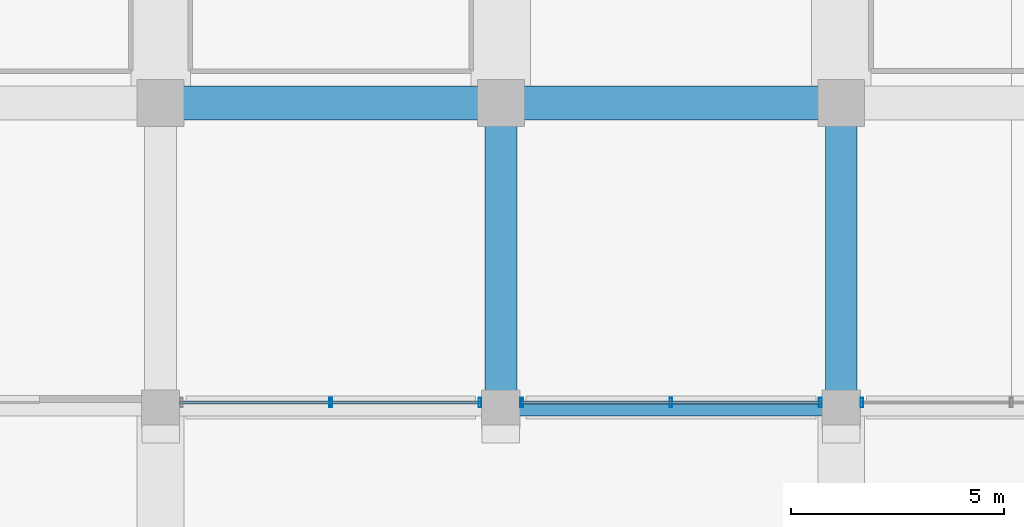
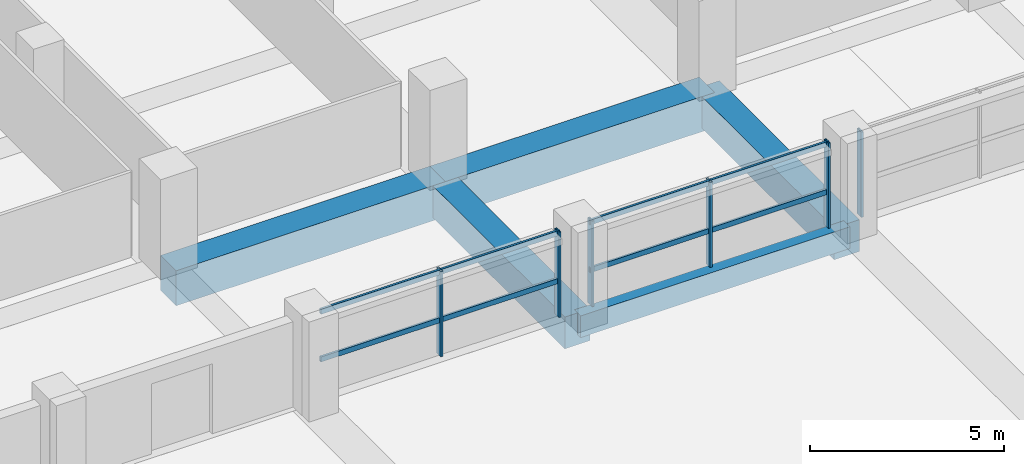
# One storey, part 13 of 49: 10 members, 5 beams, 3 elements without a shape of their own.
"""IFC4 building model written with IfcOpenShell, lengths in metres."""

from ifc_helpers import new_model, si_unit, direction, frame, origin, origin_2d, place, context, subcontext, project, spatial, rectangle, hollow_rectangle, extrude, material, material_profile, profile_set, type_object, element, aggregate, save


model = new_model("IFC4")

# Units and contexts
model_context = context("Model", 3, precision=1e-05, world=origin(), true_north=direction((0.0, 1.0)))
body_context = subcontext(model_context, "Body", "Model", "MODEL_VIEW")
ifc_project = project(units=[si_unit("LENGTHUNIT", "METRE"), si_unit("AREAUNIT", "SQUARE_METRE"), si_unit("VOLUMEUNIT", "CUBIC_METRE"), si_unit("PLANEANGLEUNIT", "RADIAN"), si_unit("MASSUNIT", "GRAM", prefix="KILO")], contexts=[model_context])

# Site, building, storey
site_placement = place(None, origin())
site = spatial("IfcSite", under=ifc_project, at=site_placement, CompositionType="ELEMENT")
building_placement = place(site_placement, origin())
building = spatial("IfcBuilding", under=site, at=building_placement, Name="Akrevak Sports Hall", CompositionType="ELEMENT")
storey_placement = place(building_placement, frame((0.0, 0.0, 24.14990234375)))
storey = spatial("IfcBuildingStorey", under=building, at=storey_placement, Name="L04", CompositionType="ELEMENT", Elevation=24.14990234375)

# Curtain wall, members
ifc_material_1 = material(Name="Anodized Bronze Aluminium & Low-E Glass", Category="aluminium")
curtain_wall_type = type_object("IfcCurtainWallType", Name="ARC-CW-TWR-72x30", PredefinedType="NOTDEFINED", material=ifc_material_1)
curtain_wall_1_placement = place(storey_placement, origin())
curtain_wall_1 = element("IfcCurtainWall", 1, at=curtain_wall_1_placement, inside=storey, type_object=curtain_wall_type, Name="Curtain Wall CW-L04-S04", PredefinedType="NOTDEFINED")
ifc_material_2 = material(Name="Anodized Bronze Aluminium", Category="aluminium")
ifc_material_profile_1 = material_profile(ifc_material_2, hollow_rectangle(XDim=0.06494140625, YDim=0.219970703125, WallThickness=0.00439453125, at=origin_2d()), Name="CWM 65x220", Category="aluminium")
ifc_profile_set_1 = profile_set([ifc_material_profile_1], Name="Anodized Bronze Aluminium")
member_type_1 = type_object("IfcMemberType", Name="ARC-CWM-70x160", PredefinedType="MULLION", material=ifc_profile_set_1)
member_1_placement = place(storey_placement, frame((64.0, 21.760009765625, 0.0), z_axis=(0.0, 0.0, 1.0), x_axis=(1.0, 0.0, 0.0)))
member_1 = element("IfcMember", 2, at=member_1_placement, type_object=member_type_1, Name="Curtain Wall Mullion CW-L04-S04-M2", PredefinedType="MULLION", context=body_context, shape_type="SweptSolid", body=[
    extrude(hollow_rectangle(XDim=0.06494140625, YDim=0.219970703125, WallThickness=0.00439453125, at=origin_2d()), origin(), (0.0, 0.0, 1.0), 2.68017578125),
])
member_2_placement = place(storey_placement, frame((67.510009765625, 21.760009765625, 0.0), z_axis=(0.0, 0.0, 1.0), x_axis=(1.0, 0.0, 0.0)))
member_2 = element("IfcMember", 3, at=member_2_placement, type_object=member_type_1, Name="Curtain Wall Mullion CW-L04-S04-M3", PredefinedType="MULLION", context=body_context, shape_type="SweptSolid", body=[
    extrude(hollow_rectangle(XDim=0.06494140625, YDim=0.219970703125, WallThickness=0.00439453125, at=origin_2d()), origin(), (0.0, 0.0, 1.0), 2.68017578125),
])

curtain_wall_2_placement = place(storey_placement, origin())
curtain_wall_2 = element("IfcCurtainWall", 4, at=curtain_wall_2_placement, inside=storey, type_object=curtain_wall_type, Name="Curtain Wall CW-L04-S05", PredefinedType="NOTDEFINED")
member_3_placement = place(storey_placement, frame((68.489990234375, 21.760009765625, 0.0), z_axis=(0.0, 0.0, 1.0), x_axis=(1.0, 0.0, 0.0)))
member_3 = element("IfcMember", 5, at=member_3_placement, type_object=member_type_1, Name="Curtain Wall Mullion CW-L04-S05-M1", PredefinedType="MULLION", context=body_context, shape_type="SweptSolid", body=[
    extrude(hollow_rectangle(XDim=0.06494140625, YDim=0.219970703125, WallThickness=0.00439453125, at=origin_2d()), origin(), (0.0, 0.0, 1.0), 2.68017578125),
])
member_4_placement = place(storey_placement, frame((72.0, 21.760009765625, 0.0), z_axis=(0.0, 0.0, 1.0), x_axis=(1.0, 0.0, 0.0)))
member_4 = element("IfcMember", 6, at=member_4_placement, type_object=member_type_1, Name="Curtain Wall Mullion CW-L04-S05-M2", PredefinedType="MULLION", context=body_context, shape_type="SweptSolid", body=[
    extrude(hollow_rectangle(XDim=0.06494140625, YDim=0.219970703125, WallThickness=0.00439453125, at=origin_2d()), origin(), (0.0, 0.0, 1.0), 2.68017578125),
])
member_5_placement = place(storey_placement, frame((75.510009765625, 21.760009765625, 0.0), z_axis=(0.0, 0.0, 1.0), x_axis=(1.0, 0.0, 0.0)))
member_5 = element("IfcMember", 7, at=member_5_placement, type_object=member_type_1, Name="Curtain Wall Mullion CW-L04-S05-M3", PredefinedType="MULLION", context=body_context, shape_type="SweptSolid", body=[
    extrude(hollow_rectangle(XDim=0.06494140625, YDim=0.219970703125, WallThickness=0.00439453125, at=origin_2d()), origin(), (0.0, 0.0, 1.0), 2.68017578125),
])

# Curtain wall, member
curtain_wall_3_placement = place(storey_placement, origin())
curtain_wall_3 = element("IfcCurtainWall", 8, at=curtain_wall_3_placement, inside=storey, type_object=curtain_wall_type, Name="Curtain Wall CW-L04-S06", PredefinedType="NOTDEFINED")
member_6_placement = place(storey_placement, frame((76.489990234375, 21.760009765625, 0.0), z_axis=(0.0, 0.0, 1.0), x_axis=(1.0, 0.0, 0.0)))
member_6 = element("IfcMember", 9, at=member_6_placement, type_object=member_type_1, Name="Curtain Wall Mullion CW-L04-S06-M1", PredefinedType="MULLION", context=body_context, shape_type="SweptSolid", body=[
    extrude(hollow_rectangle(XDim=0.06494140625, YDim=0.219970703125, WallThickness=0.00439453125, at=origin_2d()), origin(), (0.0, 0.0, 1.0), 2.68017578125),
])
aggregate(curtain_wall_3, [member_6])

# Member
ifc_material_profile_2 = material_profile(ifc_material_2, hollow_rectangle(XDim=0.06494140625, YDim=0.159912109375, WallThickness=0.00390625, at=origin_2d()), Name="CWT 65x160", Category="aluminium")
ifc_profile_set_2 = profile_set([ifc_material_profile_2], Name="Anodized Bronze Aluminium")
member_type_2 = type_object("IfcMemberType", Name="ARC-CWT-70x130", PredefinedType="USERDEFINED", material=ifc_profile_set_2)
member_7_placement = place(storey_placement, frame((60.449951171875, 21.760009765625, 1.10009765625), z_axis=(1.0, 0.0, 0.0), x_axis=(0.0, 1.0, 0.0)))
member_7 = element("IfcMember", 10, at=member_7_placement, type_object=member_type_2, Name="Curtain Wall Transom CW-L04-S04-T1", ObjectType="TRANSOM", PredefinedType="USERDEFINED", context=body_context, shape_type="SweptSolid", body=[
    extrude(hollow_rectangle(XDim=0.06494140625, YDim=0.159912109375, WallThickness=0.00390625, at=origin_2d()), origin(), (0.0, 0.0, 1.0), 7.10009765625),
])

member_8_placement = place(storey_placement, frame((60.449951171875, 21.760009765625, 2.60009765625), z_axis=(1.0, 0.0, 0.0), x_axis=(0.0, 1.0, 0.0)))
member_8 = element("IfcMember", 11, at=member_8_placement, type_object=member_type_2, Name="Curtain Wall Transom CW-L04-S04-T2", ObjectType="TRANSOM", PredefinedType="USERDEFINED", context=body_context, shape_type="SweptSolid", body=[
    extrude(hollow_rectangle(XDim=0.06494140625, YDim=0.159912109375, WallThickness=0.00390625, at=origin_2d()), origin(), (0.0, 0.0, 1.0), 7.10009765625),
])

aggregate(curtain_wall_1, [member_1, member_2, member_7, member_8])

member_9_placement = place(storey_placement, frame((68.449951171875, 21.760009765625, 1.10009765625), z_axis=(1.0, 0.0, 0.0), x_axis=(0.0, 1.0, 0.0)))
member_9 = element("IfcMember", 12, at=member_9_placement, type_object=member_type_2, Name="Curtain Wall Transom CW-L04-S05-T1", ObjectType="TRANSOM", PredefinedType="USERDEFINED", context=body_context, shape_type="SweptSolid", body=[
    extrude(hollow_rectangle(XDim=0.06494140625, YDim=0.159912109375, WallThickness=0.00390625, at=origin_2d()), origin(), (0.0, 0.0, 1.0), 7.10009765625),
])

member_10_placement = place(storey_placement, frame((68.449951171875, 21.760009765625, 2.60009765625), z_axis=(1.0, 0.0, 0.0), x_axis=(0.0, 1.0, 0.0)))
member_10 = element("IfcMember", 13, at=member_10_placement, type_object=member_type_2, Name="Curtain Wall Transom CW-L04-S05-T2", ObjectType="TRANSOM", PredefinedType="USERDEFINED", context=body_context, shape_type="SweptSolid", body=[
    extrude(hollow_rectangle(XDim=0.06494140625, YDim=0.159912109375, WallThickness=0.00390625, at=origin_2d()), origin(), (0.0, 0.0, 1.0), 7.10009765625),
])

aggregate(curtain_wall_2, [member_3, member_4, member_5, member_9, member_10])

# Beams
ifc_material_3 = material(Name="Concrete C50/60", Category="concrete")
ifc_material_profile_3 = material_profile(ifc_material_3, rectangle(XDim=0.75, YDim=1.0, at=origin_2d()), Name="BM 750x1000", Category="concrete")
ifc_profile_set_3 = profile_set([ifc_material_profile_3], Name="Concrete C50/60")
beam_type_1 = type_object("IfcBeamType", Name="STR-BM-RC750x1000", PredefinedType="BEAM", material=ifc_profile_set_3)
for number, where, z_axis, x_axis, name in (
    (14, (68.0, 21.60009765625, -0.5), (0.0, 1.0, 0.0), (-1.0, 0.0, 0.0), "Girder 10/D-E (L04)"),
    (15, (76.0, 21.60009765625, -0.5), (0.0, 1.0, 0.0), (-1.0, 0.0, 0.0), "Girder 11/D-E (L04)"),
):
    element("IfcBeam", number, at=place(storey_placement, frame(where, z_axis=z_axis, x_axis=x_axis)), inside=storey, type_object=beam_type_1, Name=name, PredefinedType="BEAM", context=body_context, shape_type="SweptSolid", body=[
        extrude(rectangle(XDim=0.75, YDim=1.0, at=origin_2d()), origin(), (0.0, 0.0, 1.0), 7.199951171875),
    ])
ifc_material_profile_4 = material_profile(ifc_material_3, rectangle(XDim=0.800048828125, YDim=1.10009765625, at=origin_2d()), Name="BM 800x1100", Category="concrete")
ifc_profile_set_4 = profile_set([ifc_material_profile_4], Name="Concrete C50/60")
beam_type_2 = type_object("IfcBeamType", Name="STR-BM-RC800x1100", PredefinedType="BEAM", material=ifc_profile_set_4)
for number, where, z_axis, x_axis, name in (
    (16, (60.0, 28.800048828125, -0.5498046875), (1.0, 0.0, 0.0), (0.0, 1.0, 0.0), "Girder E/9-10 (L04)"),
    (17, (68.0, 28.800048828125, -0.5498046875), (1.0, 0.0, 0.0), (0.0, 1.0, 0.0), "Girder E/10-11 (L04)"),
):
    element("IfcBeam", number, at=place(storey_placement, frame(where, z_axis=z_axis, x_axis=x_axis)), inside=storey, type_object=beam_type_2, Name=name, PredefinedType="BEAM", context=body_context, shape_type="SweptSolid", body=[
        extrude(rectangle(XDim=0.800048828125, YDim=1.10009765625, at=origin_2d()), origin(), (0.0, 0.0, 1.0), 8.0),
    ])
ifc_material_4 = material(Name="Concrete C40/50", Category="concrete")
ifc_material_profile_5 = material_profile(ifc_material_4, rectangle(XDim=0.320068359375, YDim=0.679931640625, at=origin_2d()), Name="SPD 320x680", Category="concrete")
ifc_profile_set_5 = profile_set([ifc_material_profile_5], Name="Concrete C40/50")
beam_type_3 = type_object("IfcBeamType", Name="STR-SPD-RC320x680", PredefinedType="SPANDREL", material=ifc_profile_set_5)
beam_placement = place(storey_placement, frame((68.0, 21.60009765625, -0.33984375), z_axis=(1.0, 0.0, 0.0), x_axis=(0.0, 1.0, 0.0)))
element("IfcBeam", 18, at=beam_placement, inside=storey, type_object=beam_type_3, Name="Girder D/10-11 (L04)", PredefinedType="SPANDREL", context=body_context, shape_type="SweptSolid", body=[
    extrude(rectangle(XDim=0.320068359375, YDim=0.679931640625, at=origin_2d()), origin(), (0.0, 0.0, 1.0), 8.0),
])

save(model, "model.ifc")
